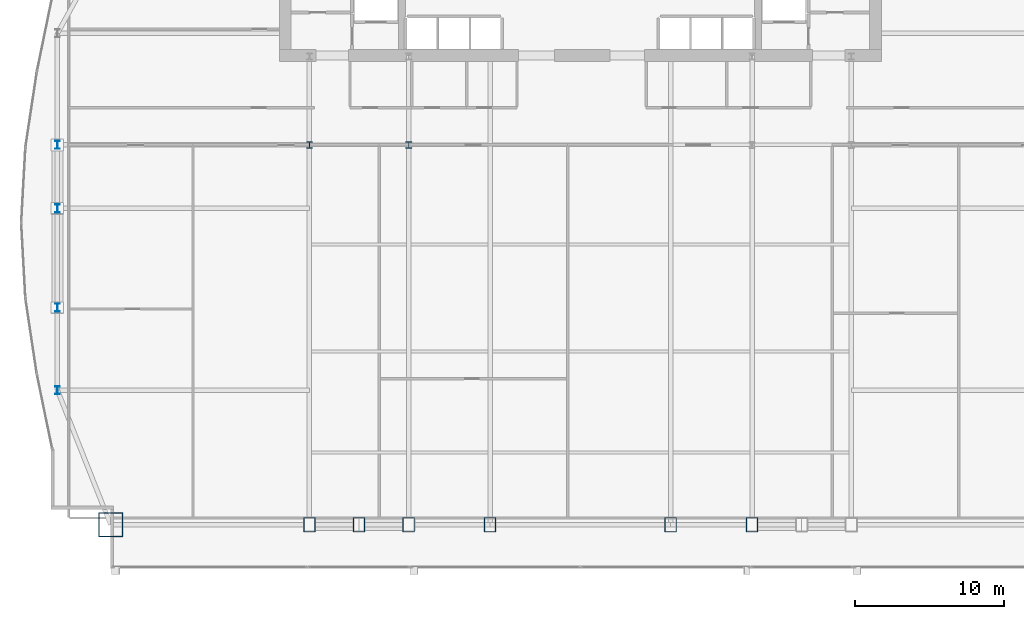
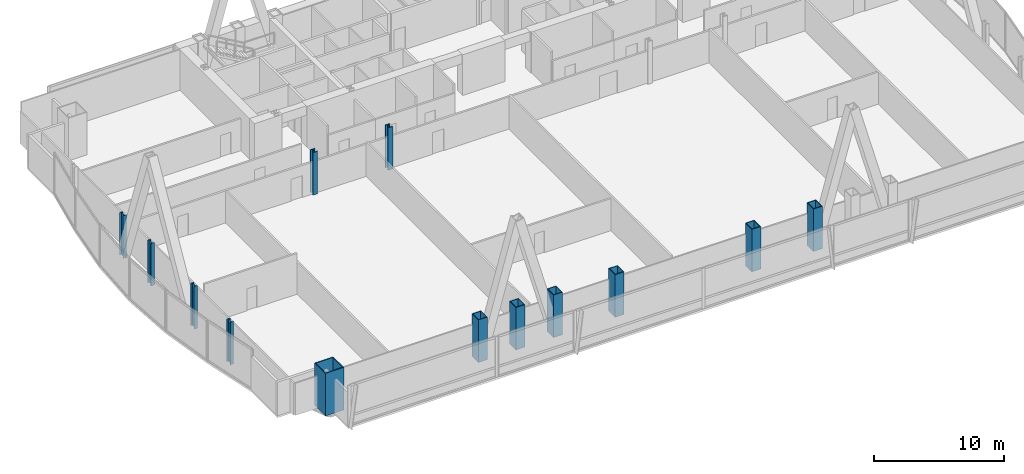
# One storey, part 1 of 36: 13 columns.
"""IFC4 building model written with IfcOpenShell, lengths in metres."""

from ifc_helpers import new_model, si_unit, direction, frame, origin, origin_2d, place, context, subcontext, project, spatial, hollow_rectangle, i_section, extrude, material, material_profile, profile_set, type_object, element, save


model = new_model("IFC4")

# Units and contexts
model_context = context("Model", 3, precision=1e-05, world=origin(), true_north=direction((0.0, 1.0)))
body_context = subcontext(model_context, "Body", "Model", "MODEL_VIEW")
ifc_project = project(units=[si_unit("LENGTHUNIT", "METRE"), si_unit("AREAUNIT", "SQUARE_METRE"), si_unit("VOLUMEUNIT", "CUBIC_METRE"), si_unit("PLANEANGLEUNIT", "RADIAN"), si_unit("MASSUNIT", "GRAM", prefix="KILO")], contexts=[model_context])

# Site, building, storey
site_placement = place(None, origin())
site = spatial("IfcSite", under=ifc_project, at=site_placement, CompositionType="ELEMENT")
building_placement = place(site_placement, origin())
building = spatial("IfcBuilding", under=site, at=building_placement, Name="Khoronbel Lancet Exchange", CompositionType="ELEMENT")
storey_placement = place(building_placement, frame((0.0, 0.0, 49.800048828125)))
storey = spatial("IfcBuildingStorey", under=building, at=storey_placement, Name="L11", CompositionType="ELEMENT", Elevation=49.800048828125)

# Columns
ifc_material_1 = material(Name="Steel S460", Category="steel")
ifc_material_profile_1 = material_profile(ifc_material_1, hollow_rectangle(XDim=0.800048828125, YDim=1.0, WallThickness=0.054931640625, at=origin_2d()), Name="BOX 1000x800x55")
ifc_profile_set_1 = profile_set([ifc_material_profile_1], Name="Steel S460")
column_type_1 = type_object("IfcColumnType", Name="COL-EC1", PredefinedType="COLUMN", material=ifc_profile_set_1)
for number, where, z_axis, x_axis, name in (
    (1, (18.22509765625, 10.14990234375, 0.0), (0.0, 0.0, 1.0), (1.0, 0.0, 0.0), "Structural column SC-W1 L11"),
    (2, (21.5625, 10.14990234375, 0.0), (0.0, 0.0, 1.0), (1.0, 0.0, 0.0), "Structural column SC-WM L11"),
    (3, (24.89990234375, 10.14990234375, 0.0), (0.0, 0.0, 1.0), (1.0, 0.0, 0.0), "Structural column SC-W2 L11"),
    (4, (30.375, 10.14990234375, 0.0), (0.0, 0.0, 1.0), (1.0, 0.0, 0.0), "Structural column SC-C1 L11"),
    (5, (42.52490234375, 10.14990234375, 0.0), (0.0, 0.0, 1.0), (1.0, 0.0, 0.0), "Structural column SC-C2 L11"),
    (6, (48.0, 10.14990234375, 0.0), (0.0, 0.0, 1.0), (1.0, 0.0, 0.0), "Structural column SC-E1 L11"),
):
    element("IfcColumn", number, at=place(storey_placement, frame(where, z_axis=z_axis, x_axis=x_axis)), inside=storey, type_object=column_type_1, Name=name, PredefinedType="COLUMN", context=body_context, shape_type="SweptSolid", body=[
        extrude(hollow_rectangle(XDim=0.800048828125, YDim=1.0, WallThickness=0.054931640625, at=origin_2d()), origin(), (0.0, 0.0, 1.0), 4.0),
    ])
ifc_material_profile_2 = material_profile(ifc_material_1, i_section(OverallWidth=0.424072265625, OverallDepth=0.47412109375, WebThickness=0.047607421875, FlangeThickness=0.076904296875, at=origin_2d()), Name="HD 400x634")
ifc_profile_set_2 = profile_set([ifc_material_profile_2], Name="Steel S460")
column_type_2 = type_object("IfcColumnType", Name="COL-IC1", PredefinedType="COLUMN", material=ifc_profile_set_2)
for number, where, z_axis, x_axis, name in (
    (7, (18.22509765625, 35.699951171875, 0.0), (0.0, 0.0, 1.0), (1.0, 0.0, 0.0), "Spine gravity column TC1 L11"),
    (8, (24.89990234375, 35.699951171875, 0.0), (0.0, 0.0, 1.0), (1.0, 0.0, 0.0), "Spine gravity column TC2 L11"),
):
    element("IfcColumn", number, at=place(storey_placement, frame(where, z_axis=z_axis, x_axis=x_axis)), inside=storey, type_object=column_type_2, Name=name, PredefinedType="COLUMN", context=body_context, shape_type="SweptSolid", body=[
        extrude(i_section(OverallWidth=0.424072265625, OverallDepth=0.47412109375, WebThickness=0.047607421875, FlangeThickness=0.076904296875, at=origin_2d()), origin(), (0.0, 0.0, 1.0), 4.0),
    ])
ifc_material_2 = material(Name="Steel S355", Category="steel")
ifc_material_profile_3 = material_profile(ifc_material_2, i_section(OverallWidth=0.300048828125, OverallDepth=0.550048828125, WebThickness=0.014892578125, FlangeThickness=0.029052734375, at=origin_2d()), Name="HEB 550")
ifc_profile_set_3 = profile_set([ifc_material_profile_3], Name="Steel S355")
column_type_3 = type_object("IfcColumnType", Name="COL-LC1", PredefinedType="COLUMN", material=ifc_profile_set_3)
for number, where, z_axis, x_axis, name in (
    (9, (1.27001953125, 19.199951171875, 0.0), (0.0, 0.0, 1.0), (1.0, 0.0, 0.0), "Structural column WC-1 L11"),
    (10, (1.27001953125, 24.75, 0.0), (0.0, 0.0, 1.0), (1.0, 0.0, 0.0), "Structural column WC-2 L11"),
    (11, (1.27001953125, 31.425048828125, 0.0), (0.0, 0.0, 1.0), (1.0, 0.0, 0.0), "Structural column WC-M L11"),
    (12, (1.27001953125, 35.699951171875, 0.0), (0.0, 0.0, 1.0), (1.0, 0.0, 0.0), "Structural column WC-3 L11"),
):
    element("IfcColumn", number, at=place(storey_placement, frame(where, z_axis=z_axis, x_axis=x_axis)), inside=storey, type_object=column_type_3, Name=name, PredefinedType="COLUMN", context=body_context, shape_type="SweptSolid", body=[
        extrude(i_section(OverallWidth=0.300048828125, OverallDepth=0.550048828125, WebThickness=0.014892578125, FlangeThickness=0.029052734375, at=origin_2d()), origin(), (0.0, 0.0, 1.0), 4.0),
    ])
ifc_material_profile_4 = material_profile(ifc_material_1, hollow_rectangle(XDim=1.64990234375, YDim=1.64990234375, WallThickness=0.074951171875, at=origin_2d()), Name="BOX 1650x1650x75")
ifc_profile_set_4 = profile_set([ifc_material_profile_4], Name="Steel S460")
column_type_4 = type_object("IfcColumnType", Name="COL-MC2", PredefinedType="COLUMN", material=ifc_profile_set_4)
column_placement = place(storey_placement, frame((4.85009765625, 10.14990234375, 0.0), z_axis=(0.0, 0.0, 1.0), x_axis=(1.0, 0.0, 0.0)))
element("IfcColumn", 13, at=column_placement, inside=storey, type_object=column_type_4, Name="Structural column MC-SW L11", PredefinedType="COLUMN", context=body_context, shape_type="SweptSolid", body=[
    extrude(hollow_rectangle(XDim=1.64990234375, YDim=1.64990234375, WallThickness=0.074951171875, at=origin_2d()), origin(), (0.0, 0.0, 1.0), 4.0),
])

save(model, "model.ifc")
